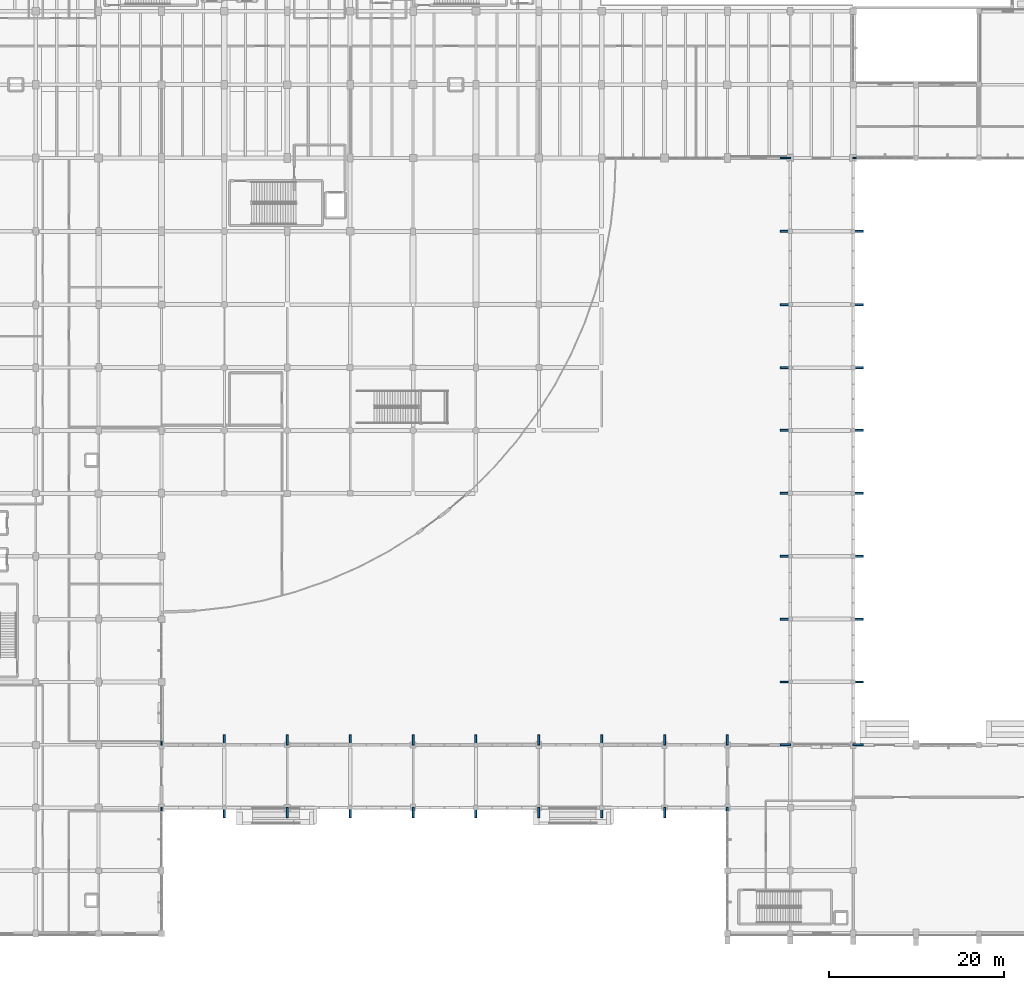
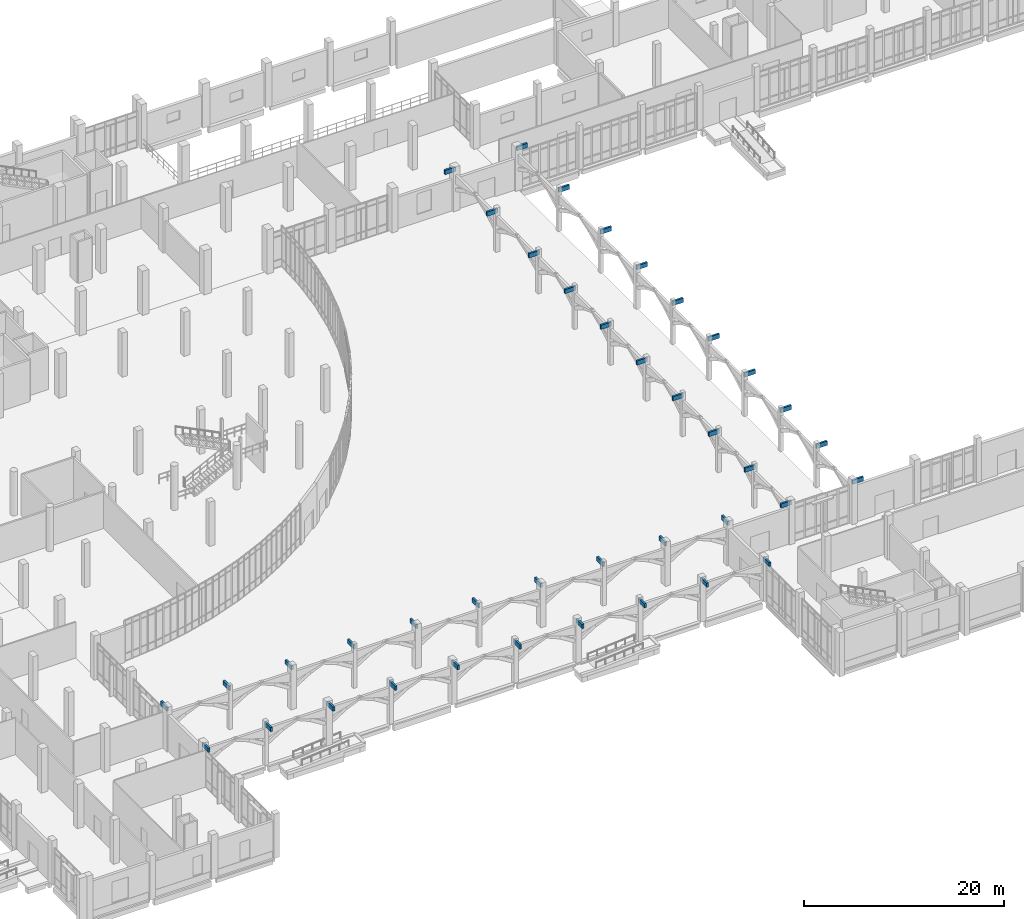
# One storey, part 99 of 110: 40 discrete accessories.
"""IFC4 building model written with IfcOpenShell, lengths in metres."""

from ifc_helpers import new_model, si_unit, direction, frame, origin, origin_2d, place, context, subcontext, project, spatial, rectangle, extrude, material, type_object, element, save


model = new_model("IFC4")

# Units and contexts
model_context = context("Model", 3, precision=1e-05, world=origin(), true_north=direction((0.0, 1.0)))
body_context = subcontext(model_context, "Body", "Model", "MODEL_VIEW")
ifc_project = project(units=[si_unit("LENGTHUNIT", "METRE"), si_unit("AREAUNIT", "SQUARE_METRE"), si_unit("VOLUMEUNIT", "CUBIC_METRE"), si_unit("PLANEANGLEUNIT", "RADIAN"), si_unit("MASSUNIT", "GRAM", prefix="KILO")], contexts=[model_context])

# Site, building, storey
site_placement = place(None, origin())
site = spatial("IfcSite", under=ifc_project, at=site_placement, CompositionType="ELEMENT")
building_placement = place(site_placement, origin())
building = spatial("IfcBuilding", under=site, at=building_placement, Name="Kalluvel Institute of Natural Sciences", CompositionType="ELEMENT")
storey_placement = place(building_placement, origin())
storey = spatial("IfcBuildingStorey", under=building, at=storey_placement, Name="L00", CompositionType="ELEMENT", Elevation=0.0)

# Discrete accessories
ifc_material = material(Name="Sadarahalli Granite Precast Concrete M45", Category="masonry")
discrete_accessory_type = type_object("IfcDiscreteAccessoryType", Name="ACC-EAVES-BRK", PredefinedType="BRACKET", material=ifc_material)
for number, where, z_axis, x_axis, name in (
    (1, (35.60009765625, 36.14990234375, 4.659912109375), (0.0, 0.0, 1.0), (1.0, 0.0, 0.0), "Cloister 1200 mm monsoon eaves corbel 1"),
    (2, (35.60009765625, 27.85009765625, 4.659912109375), (0.0, 0.0, 1.0), (1.0, 0.0, 0.0), "Cloister 1200 mm monsoon eaves corbel 2"),
    (3, (42.800048828125, 36.14990234375, 4.659912109375), (0.0, 0.0, 1.0), (1.0, 0.0, 0.0), "Cloister 1200 mm monsoon eaves corbel 3"),
    (4, (42.800048828125, 27.85009765625, 4.659912109375), (0.0, 0.0, 1.0), (1.0, 0.0, 0.0), "Cloister 1200 mm monsoon eaves corbel 4"),
    (5, (50.0, 36.14990234375, 4.659912109375), (0.0, 0.0, 1.0), (1.0, 0.0, 0.0), "Cloister 1200 mm monsoon eaves corbel 5"),
    (6, (50.0, 27.85009765625, 4.659912109375), (0.0, 0.0, 1.0), (1.0, 0.0, 0.0), "Cloister 1200 mm monsoon eaves corbel 6"),
    (7, (57.199951171875, 36.14990234375, 4.659912109375), (0.0, 0.0, 1.0), (1.0, 0.0, 0.0), "Cloister 1200 mm monsoon eaves corbel 7"),
    (8, (57.199951171875, 27.85009765625, 4.659912109375), (0.0, 0.0, 1.0), (1.0, 0.0, 0.0), "Cloister 1200 mm monsoon eaves corbel 8"),
    (9, (64.39990234375, 36.14990234375, 4.659912109375), (0.0, 0.0, 1.0), (1.0, 0.0, 0.0), "Cloister 1200 mm monsoon eaves corbel 9"),
    (10, (64.39990234375, 27.85009765625, 4.659912109375), (0.0, 0.0, 1.0), (1.0, 0.0, 0.0), "Cloister 1200 mm monsoon eaves corbel 10"),
    (11, (71.60009765625, 36.14990234375, 4.659912109375), (0.0, 0.0, 1.0), (1.0, 0.0, 0.0), "Cloister 1200 mm monsoon eaves corbel 11"),
    (12, (71.60009765625, 27.85009765625, 4.659912109375), (0.0, 0.0, 1.0), (1.0, 0.0, 0.0), "Cloister 1200 mm monsoon eaves corbel 12"),
    (13, (78.800048828125, 36.14990234375, 4.659912109375), (0.0, 0.0, 1.0), (1.0, 0.0, 0.0), "Cloister 1200 mm monsoon eaves corbel 13"),
    (14, (78.800048828125, 27.85009765625, 4.659912109375), (0.0, 0.0, 1.0), (1.0, 0.0, 0.0), "Cloister 1200 mm monsoon eaves corbel 14"),
    (15, (86.0, 36.14990234375, 4.659912109375), (0.0, 0.0, 1.0), (1.0, 0.0, 0.0), "Cloister 1200 mm monsoon eaves corbel 15"),
    (16, (86.0, 27.85009765625, 4.659912109375), (0.0, 0.0, 1.0), (1.0, 0.0, 0.0), "Cloister 1200 mm monsoon eaves corbel 16"),
    (17, (93.199951171875, 36.14990234375, 4.659912109375), (0.0, 0.0, 1.0), (1.0, 0.0, 0.0), "Cloister 1200 mm monsoon eaves corbel 17"),
    (18, (93.199951171875, 27.85009765625, 4.659912109375), (0.0, 0.0, 1.0), (1.0, 0.0, 0.0), "Cloister 1200 mm monsoon eaves corbel 18"),
    (19, (100.39990234375, 36.14990234375, 4.659912109375), (0.0, 0.0, 1.0), (1.0, 0.0, 0.0), "Cloister 1200 mm monsoon eaves corbel 19"),
    (20, (100.39990234375, 27.85009765625, 4.659912109375), (0.0, 0.0, 1.0), (1.0, 0.0, 0.0), "Cloister 1200 mm monsoon eaves corbel 20"),
):
    element("IfcDiscreteAccessory", number, at=place(storey_placement, frame(where, z_axis=z_axis, x_axis=x_axis)), inside=storey, type_object=discrete_accessory_type, Name=name, PredefinedType="BRACKET", context=body_context, shape_type="SweptSolid", body=[
        extrude(rectangle(XDim=0.219970703125, YDim=1.239990234375, at=origin_2d()), origin(), (0.0, 0.0, 1.0), 0.52001953125),
    ])
for number, where, z_axis, x_axis, name in (
    (21, (107.050048828125, 35.60009765625, 4.659912109375), (0.0, 0.0, 1.0), (1.0, 0.0, 0.0), "Cloister 1200 mm monsoon eaves corbel 21"),
    (22, (115.35009765625, 35.60009765625, 4.659912109375), (0.0, 0.0, 1.0), (1.0, 0.0, 0.0), "Cloister 1200 mm monsoon eaves corbel 22"),
    (23, (107.050048828125, 42.800048828125, 4.659912109375), (0.0, 0.0, 1.0), (1.0, 0.0, 0.0), "Cloister 1200 mm monsoon eaves corbel 23"),
    (24, (115.35009765625, 42.800048828125, 4.659912109375), (0.0, 0.0, 1.0), (1.0, 0.0, 0.0), "Cloister 1200 mm monsoon eaves corbel 24"),
    (25, (107.050048828125, 50.0, 4.659912109375), (0.0, 0.0, 1.0), (1.0, 0.0, 0.0), "Cloister 1200 mm monsoon eaves corbel 25"),
    (26, (115.35009765625, 50.0, 4.659912109375), (0.0, 0.0, 1.0), (1.0, 0.0, 0.0), "Cloister 1200 mm monsoon eaves corbel 26"),
    (27, (107.050048828125, 57.199951171875, 4.659912109375), (0.0, 0.0, 1.0), (1.0, 0.0, 0.0), "Cloister 1200 mm monsoon eaves corbel 27"),
    (28, (115.35009765625, 57.199951171875, 4.659912109375), (0.0, 0.0, 1.0), (1.0, 0.0, 0.0), "Cloister 1200 mm monsoon eaves corbel 28"),
    (29, (107.050048828125, 64.39990234375, 4.659912109375), (0.0, 0.0, 1.0), (1.0, 0.0, 0.0), "Cloister 1200 mm monsoon eaves corbel 29"),
    (30, (115.35009765625, 64.39990234375, 4.659912109375), (0.0, 0.0, 1.0), (1.0, 0.0, 0.0), "Cloister 1200 mm monsoon eaves corbel 30"),
    (31, (107.050048828125, 71.60009765625, 4.659912109375), (0.0, 0.0, 1.0), (1.0, 0.0, 0.0), "Cloister 1200 mm monsoon eaves corbel 31"),
    (32, (115.35009765625, 71.60009765625, 4.659912109375), (0.0, 0.0, 1.0), (1.0, 0.0, 0.0), "Cloister 1200 mm monsoon eaves corbel 32"),
    (33, (107.050048828125, 78.800048828125, 4.659912109375), (0.0, 0.0, 1.0), (1.0, 0.0, 0.0), "Cloister 1200 mm monsoon eaves corbel 33"),
    (34, (115.35009765625, 78.800048828125, 4.659912109375), (0.0, 0.0, 1.0), (1.0, 0.0, 0.0), "Cloister 1200 mm monsoon eaves corbel 34"),
    (35, (107.050048828125, 86.0, 4.659912109375), (0.0, 0.0, 1.0), (1.0, 0.0, 0.0), "Cloister 1200 mm monsoon eaves corbel 35"),
    (36, (115.35009765625, 86.0, 4.659912109375), (0.0, 0.0, 1.0), (1.0, 0.0, 0.0), "Cloister 1200 mm monsoon eaves corbel 36"),
    (37, (107.050048828125, 94.39990234375, 4.659912109375), (0.0, 0.0, 1.0), (1.0, 0.0, 0.0), "Cloister 1200 mm monsoon eaves corbel 37"),
    (38, (115.35009765625, 94.39990234375, 4.659912109375), (0.0, 0.0, 1.0), (1.0, 0.0, 0.0), "Cloister 1200 mm monsoon eaves corbel 38"),
    (39, (107.050048828125, 102.800048828125, 4.659912109375), (0.0, 0.0, 1.0), (1.0, 0.0, 0.0), "Cloister 1200 mm monsoon eaves corbel 39"),
    (40, (115.35009765625, 102.800048828125, 4.659912109375), (0.0, 0.0, 1.0), (1.0, 0.0, 0.0), "Cloister 1200 mm monsoon eaves corbel 40"),
):
    element("IfcDiscreteAccessory", number, at=place(storey_placement, frame(where, z_axis=z_axis, x_axis=x_axis)), inside=storey, type_object=discrete_accessory_type, Name=name, PredefinedType="BRACKET", context=body_context, shape_type="SweptSolid", body=[
        extrude(rectangle(XDim=1.239990234375, YDim=0.219970703125, at=origin_2d()), origin(), (0.0, 0.0, 1.0), 0.52001953125),
    ])

save(model, "model.ifc")
